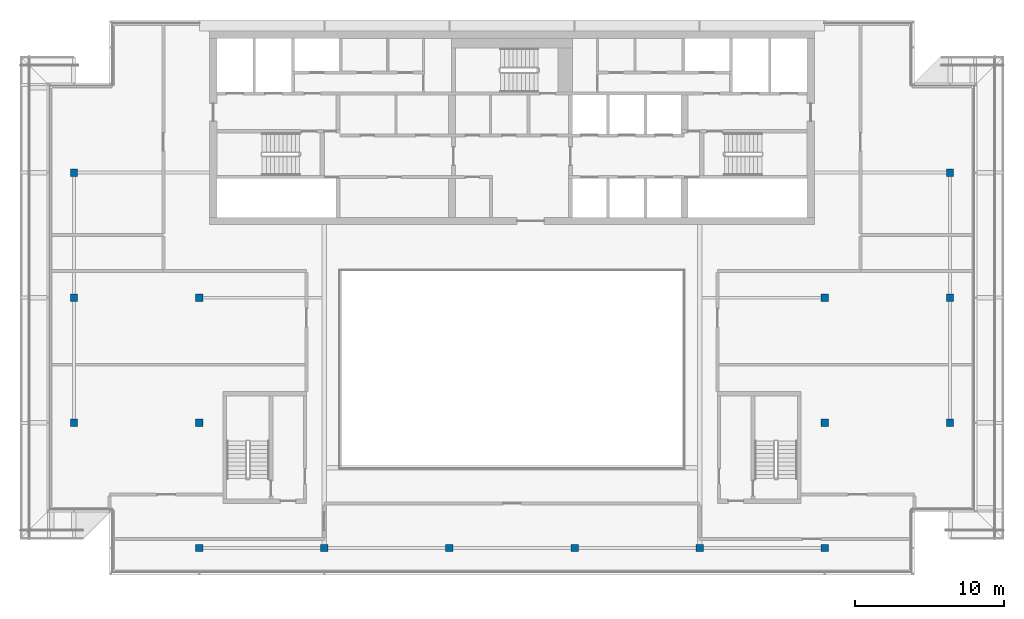
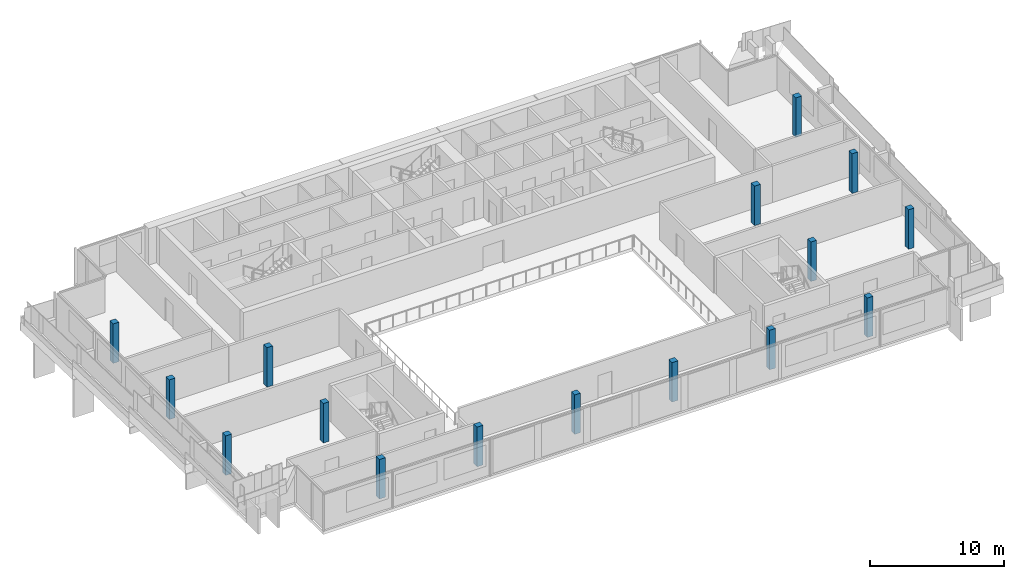
# One storey, part 1 of 20: 16 columns.
"""IFC4 building model written with IfcOpenShell, lengths in metres."""

from ifc_helpers import new_model, si_unit, direction, frame, origin, origin_2d, place, context, subcontext, project, spatial, rectangle, extrude, material, material_profile, profile_set, type_object, element, save


model = new_model("IFC4")

# Units and contexts
model_context = context("Model", 3, precision=1e-05, world=origin(), true_north=direction((0.0, 1.0)))
body_context = subcontext(model_context, "Body", "Model", "MODEL_VIEW")
ifc_project = project(units=[si_unit("LENGTHUNIT", "METRE"), si_unit("AREAUNIT", "SQUARE_METRE"), si_unit("VOLUMEUNIT", "CUBIC_METRE"), si_unit("PLANEANGLEUNIT", "RADIAN"), si_unit("MASSUNIT", "GRAM", prefix="KILO")], contexts=[model_context])

# Site, building, storey
site_placement = place(None, origin())
site = spatial("IfcSite", under=ifc_project, at=site_placement, CompositionType="ELEMENT")
building_placement = place(site_placement, origin())
building = spatial("IfcBuilding", under=site, at=building_placement, Name="Saffron Gate Tower", CompositionType="ELEMENT")
storey_placement = place(building_placement, frame((0.0, 0.0, 303.14990234375)))
storey = spatial("IfcBuildingStorey", under=building, at=storey_placement, Name="L74", CompositionType="ELEMENT", Elevation=303.14990234375)

# Columns
ifc_material = material(Name="Concrete C40", Category="concrete")
ifc_material_profile = material_profile(ifc_material, rectangle(XDim=0.5, YDim=0.5, at=origin_2d()))
ifc_profile_set = profile_set([ifc_material_profile], Name="Concrete C40")
column_type = type_object("IfcColumnType", Name="C1 RC 500x500 CONCRETE C40", PredefinedType="COLUMN", material=ifc_profile_set)
for number, where, z_axis, x_axis, name in (
    (1, (58.199951171875, 48.60009765625, 0.0), (0.0, 0.0, 1.0), (1.0, 0.0, 0.0), "C1 COLUMN X2-C"),
    (2, (58.199951171875, 57.0, 0.0), (0.0, 0.0, 1.0), (1.0, 0.0, 0.0), "C1 COLUMN X2-D"),
    (3, (58.199951171875, 65.39990234375, 0.0), (0.0, 0.0, 1.0), (1.0, 0.0, 0.0), "C1 COLUMN X2-E"),
    (4, (66.60009765625, 40.199951171875, 0.0), (0.0, 0.0, 1.0), (1.0, 0.0, 0.0), "C1 COLUMN X3-B"),
    (5, (66.60009765625, 48.60009765625, 0.0), (0.0, 0.0, 1.0), (1.0, 0.0, 0.0), "C1 COLUMN X3-C"),
    (6, (66.60009765625, 57.0, 0.0), (0.0, 0.0, 1.0), (1.0, 0.0, 0.0), "C1 COLUMN X3-D"),
    (7, (75.0, 40.199951171875, 0.0), (0.0, 0.0, 1.0), (1.0, 0.0, 0.0), "C1 COLUMN X4-B"),
    (8, (83.39990234375, 40.199951171875, 0.0), (0.0, 0.0, 1.0), (1.0, 0.0, 0.0), "C1 COLUMN X5-B"),
    (9, (91.800048828125, 40.199951171875, 0.0), (0.0, 0.0, 1.0), (1.0, 0.0, 0.0), "C1 COLUMN X6-B"),
    (10, (100.199951171875, 40.199951171875, 0.0), (0.0, 0.0, 1.0), (1.0, 0.0, 0.0), "C1 COLUMN X7-B"),
    (11, (108.60009765625, 40.199951171875, 0.0), (0.0, 0.0, 1.0), (1.0, 0.0, 0.0), "C1 COLUMN X8-B"),
    (12, (108.60009765625, 48.60009765625, 0.0), (0.0, 0.0, 1.0), (1.0, 0.0, 0.0), "C1 COLUMN X8-C"),
    (13, (108.60009765625, 57.0, 0.0), (0.0, 0.0, 1.0), (1.0, 0.0, 0.0), "C1 COLUMN X8-D"),
    (14, (117.0, 48.60009765625, 0.0), (0.0, 0.0, 1.0), (1.0, 0.0, 0.0), "C1 COLUMN X9-C"),
    (15, (117.0, 57.0, 0.0), (0.0, 0.0, 1.0), (1.0, 0.0, 0.0), "C1 COLUMN X9-D"),
    (16, (117.0, 65.39990234375, 0.0), (0.0, 0.0, 1.0), (1.0, 0.0, 0.0), "C1 COLUMN X9-E"),
):
    element("IfcColumn", number, at=place(storey_placement, frame(where, z_axis=z_axis, x_axis=x_axis)), inside=storey, type_object=column_type, Name=name, PredefinedType="COLUMN", context=body_context, shape_type="SweptSolid", body=[
        extrude(rectangle(XDim=0.5, YDim=0.5, at=origin_2d()), origin(), (0.0, 0.0, 1.0), 3.60009765625),
    ])

save(model, "model.ifc")
